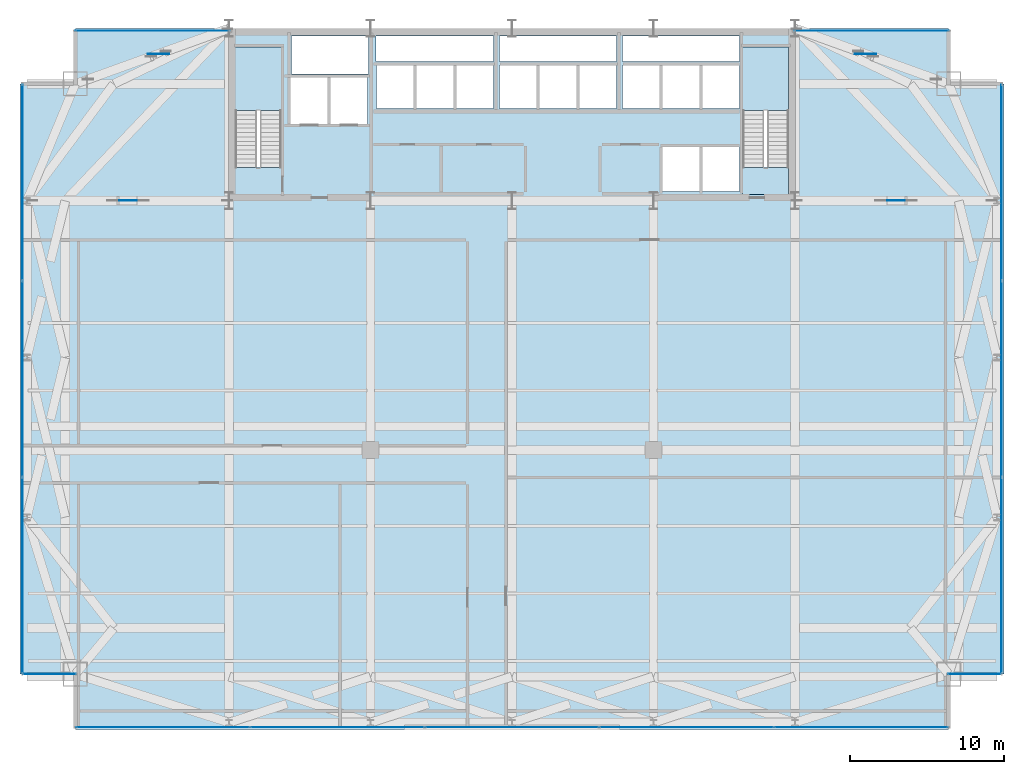
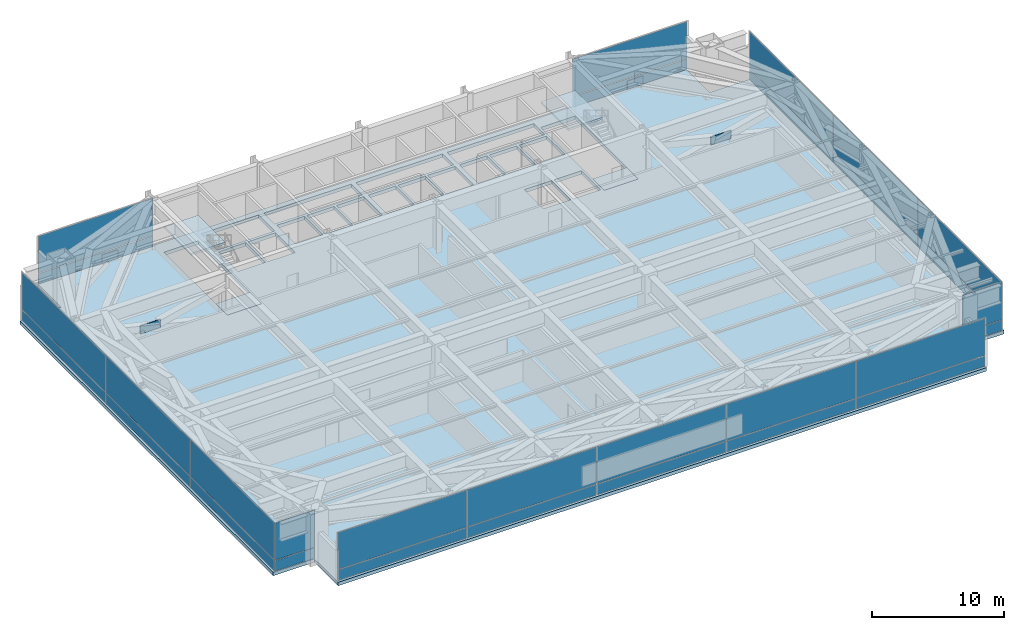
# One storey, part 25 of 30: 34 plates, 5 slabs, 9 elements without a shape of their own.
"""IFC4 building model written with IfcOpenShell, lengths in metres."""

from ifc_helpers import new_model, si_unit, direction, frame, origin, origin_2d, place, context, subcontext, project, spatial, polyline, rectangle, outline, extrude, source, transform, mapped, material, layer, layer_set, type_object, type_shapes, element, aggregate, save


model = new_model("IFC4")

# Units and contexts
model_context = context("Model", 3, precision=1e-05, world=origin(), true_north=direction((0.0, 1.0)))
body_context = subcontext(model_context, "Body", "Model", "MODEL_VIEW")
ifc_project = project(units=[si_unit("LENGTHUNIT", "METRE"), si_unit("AREAUNIT", "SQUARE_METRE"), si_unit("VOLUMEUNIT", "CUBIC_METRE"), si_unit("PLANEANGLEUNIT", "RADIAN"), si_unit("MASSUNIT", "GRAM", prefix="KILO")], contexts=[model_context])

# Site, building, storey
site_placement = place(None, origin())
site = spatial("IfcSite", under=ifc_project, at=site_placement, CompositionType="ELEMENT")
building_placement = place(site_placement, origin())
building = spatial("IfcBuilding", under=site, at=building_placement, Name="Varnel Quay Broadcast Tower", CompositionType="ELEMENT")
storey_placement = place(building_placement, frame((0.0, 0.0, 82.199951171875)))
storey = spatial("IfcBuildingStorey", under=building, at=storey_placement, Name="L19", CompositionType="ELEMENT", Elevation=82.199951171875)

# Slabs
ifc_material_1 = material(Name="Concrete CSA A23.3 C50/60", Category="concrete")
ifc_layer_1 = layer(ifc_material_1, 0.320068359375, Name="Concrete CSA A23.3 C50/60")
ifc_layer_set_1 = layer_set([ifc_layer_1], Name="Concrete CSA A23.3 C50/60")
slab_type_1 = type_object("IfcSlabType", Name="Slab_Floor320", PredefinedType="FLOOR", material=ifc_layer_set_1)
slab_1_placement = place(storey_placement, frame((0.0, 0.0, -0.320068359375)))
element("IfcSlab", 1, at=slab_1_placement, inside=storey, type_object=slab_type_1, Name="L19 Structural Slab", PredefinedType="FLOOR", context=body_context, shape_type="SweptSolid", body=[
    extrude(outline(polyline([(5.60009765625, 1.199951171875), (62.39990234375, 1.199951171875), (62.39990234375, 4.800048828125), (66.0, 4.800048828125), (66.0, 43.199951171875), (62.39990234375, 43.199951171875), (62.39990234375, 46.800048828125), (5.60009765625, 46.800048828125), (5.60009765625, 43.199951171875), (2.0, 43.199951171875), (2.0, 4.800048828125), (5.60009765625, 4.800048828125), (5.60009765625, 1.199951171875)]), holes=[polyline([(16.0, 36.0), (16.0, 45.60009765625), (19.0, 45.60009765625), (19.0, 36.0), (16.0, 36.0)]), polyline([(19.60009765625, 43.60009765625), (22.0, 43.60009765625), (22.0, 40.60009765625), (19.60009765625, 40.60009765625), (19.60009765625, 43.60009765625)]), polyline([(22.199951171875, 43.60009765625), (24.60009765625, 43.60009765625), (24.60009765625, 40.60009765625), (22.199951171875, 40.60009765625), (22.199951171875, 43.60009765625)]), polyline([(25.199951171875, 44.39990234375), (27.60009765625, 44.39990234375), (27.60009765625, 41.60009765625), (25.199951171875, 41.60009765625), (25.199951171875, 44.39990234375)]), polyline([(27.800048828125, 44.39990234375), (30.199951171875, 44.39990234375), (30.199951171875, 41.60009765625), (27.800048828125, 41.60009765625), (27.800048828125, 44.39990234375)]), polyline([(30.39990234375, 44.39990234375), (32.800048828125, 44.39990234375), (32.800048828125, 41.60009765625), (30.39990234375, 41.60009765625), (30.39990234375, 44.39990234375)]), polyline([(33.199951171875, 44.39990234375), (35.60009765625, 44.39990234375), (35.60009765625, 41.60009765625), (33.199951171875, 41.60009765625), (33.199951171875, 44.39990234375)]), polyline([(38.199951171875, 44.39990234375), (38.199951171875, 41.60009765625), (35.800048828125, 41.60009765625), (35.800048828125, 44.39990234375), (38.199951171875, 44.39990234375)]), polyline([(24.679931640625, 46.300048828125), (24.679931640625, 43.85009765625), (19.64990234375, 43.85009765625), (19.64990234375, 46.300048828125), (24.679931640625, 46.300048828125)]), polyline([(25.14990234375, 46.300048828125), (32.800048828125, 46.300048828125), (32.800048828125, 44.64990234375), (25.14990234375, 44.64990234375), (25.14990234375, 46.300048828125)]), polyline([(43.800048828125, 39.10009765625), (46.199951171875, 39.10009765625), (46.199951171875, 36.199951171875), (43.800048828125, 36.199951171875), (43.800048828125, 39.10009765625)]), polyline([(46.39990234375, 39.10009765625), (48.800048828125, 39.10009765625), (48.800048828125, 36.199951171875), (46.39990234375, 36.199951171875), (46.39990234375, 39.10009765625)]), polyline([(49.0, 45.60009765625), (52.0, 45.60009765625), (52.0, 36.0), (49.0, 36.0), (49.0, 45.60009765625)]), polyline([(40.800048828125, 44.39990234375), (40.800048828125, 41.60009765625), (38.39990234375, 41.60009765625), (38.39990234375, 44.39990234375), (40.800048828125, 44.39990234375)]), polyline([(41.199951171875, 44.39990234375), (43.60009765625, 44.39990234375), (43.60009765625, 41.60009765625), (41.199951171875, 41.60009765625), (41.199951171875, 44.39990234375)]), polyline([(43.800048828125, 44.39990234375), (46.199951171875, 44.39990234375), (46.199951171875, 41.60009765625), (43.800048828125, 41.60009765625), (43.800048828125, 44.39990234375)]), polyline([(46.39990234375, 44.39990234375), (48.800048828125, 44.39990234375), (48.800048828125, 41.60009765625), (46.39990234375, 41.60009765625), (46.39990234375, 44.39990234375)]), polyline([(40.800048828125, 46.300048828125), (40.800048828125, 44.64990234375), (33.199951171875, 44.64990234375), (33.199951171875, 46.300048828125), (40.800048828125, 46.300048828125)]), polyline([(48.800048828125, 46.300048828125), (48.800048828125, 44.64990234375), (41.199951171875, 44.64990234375), (41.199951171875, 46.300048828125), (48.800048828125, 46.300048828125)])]), origin(), (0.0, 0.0, 1.0), 0.320068359375),
])
ifc_layer_2 = layer(ifc_material_1, 0.25, Name="Concrete CSA A23.3 C50/60")
ifc_layer_set_2 = layer_set([ifc_layer_2], Name="Concrete CSA A23.3 C50/60")
slab_type_2 = type_object("IfcSlabType", Name="Slab_StairFloorLanding250", PredefinedType="FLOOR", material=ifc_layer_set_2)
slab_2_placement = place(storey_placement, frame((0.0, 0.0, -0.320068359375)))
element("IfcSlab", 2, at=slab_2_placement, inside=storey, type_object=slab_type_2, Name="L19 ST-01 Structural Floor Landing Slab", PredefinedType="FLOOR", context=body_context, shape_type="SweptSolid", body=[
    extrude(outline(polyline([(19.0, 36.0), (19.0, 37.75), (16.0, 37.75), (16.0, 36.0), (19.0, 36.0)])), origin(), (0.0, 0.0, 1.0), 0.320068359375),
])
slab_3_placement = place(storey_placement, frame((0.0, 0.0, -0.320068359375)))
element("IfcSlab", 3, at=slab_3_placement, inside=storey, type_object=slab_type_2, Name="L19 ST-02 Structural Floor Landing Slab", PredefinedType="FLOOR", context=body_context, shape_type="SweptSolid", body=[
    extrude(outline(polyline([(52.0, 36.0), (52.0, 37.75), (49.0, 37.75), (49.0, 36.0), (52.0, 36.0)])), origin(), (0.0, 0.0, 1.0), 0.320068359375),
])

# Stair, slab
ifc_material_2 = material(Name="Precast Structural Concrete C40/50", Category="concrete")
stair_type_1 = type_object("IfcStairType", Name="Stair_ST-01", PredefinedType="HALF_TURN_STAIR", material=ifc_material_2)
stair_1_placement = place(storey_placement, origin())
stair_1 = element("IfcStair", 4, at=stair_1_placement, inside=storey, type_object=stair_type_1, Name="L19 West Core Exit Stair 1", PredefinedType="HALF_TURN_STAIR")
ifc_layer_3 = layer(ifc_material_2, 0.199951171875, Name="Precast Structural Concrete C40/50")
ifc_layer_set_3 = layer_set([ifc_layer_3], Name="Precast Structural Concrete C40/50")
slab_type_3 = type_object("IfcSlabType", Name="Slab_StairLanding200", PredefinedType="LANDING", material=ifc_layer_set_3)
slab_4_placement = place(storey_placement, frame((0.0, 0.0, 2.199951171875)))
slab_4 = element("IfcSlab", 5, at=slab_4_placement, type_object=slab_type_3, Name="ST-01 landing 1", PredefinedType="LANDING", context=body_context, shape_type="SweptSolid", body=[
    extrude(outline(polyline([(19.0, 41.455078125), (19.0, 45.60009765625), (16.0, 45.60009765625), (16.0, 41.455078125), (19.0, 41.455078125)])), origin(), (0.0, 0.0, 1.0), 0.2001953125),
])
aggregate(stair_1, [slab_4])

stair_type_2 = type_object("IfcStairType", Name="Stair_ST-02", PredefinedType="HALF_TURN_STAIR", material=ifc_material_2)
stair_2_placement = place(storey_placement, origin())
stair_2 = element("IfcStair", 6, at=stair_2_placement, inside=storey, type_object=stair_type_2, Name="L19 East Core Exit Stair 2", PredefinedType="HALF_TURN_STAIR")
slab_5_placement = place(storey_placement, frame((0.0, 0.0, 2.199951171875)))
slab_5 = element("IfcSlab", 7, at=slab_5_placement, type_object=slab_type_3, Name="ST-02 landing 1", PredefinedType="LANDING", context=body_context, shape_type="SweptSolid", body=[
    extrude(outline(polyline([(52.0, 41.455078125), (52.0, 45.60009765625), (49.0, 45.60009765625), (49.0, 41.455078125), (52.0, 41.455078125)])), origin(), (0.0, 0.0, 1.0), 0.2001953125),
])
aggregate(stair_2, [slab_5])

# Plates
ifc_material_3 = material(Name="Structural Steel CSA G40.21 350WT", Category="steel")
ifc_layer_4 = layer(ifc_material_3, 0.0400390625, Name="Structural Steel CSA G40.21 350WT")
ifc_layer_set_4 = layer_set([ifc_layer_4], Name="Structural Steel CSA G40.21 350WT")
plate_type_1 = type_object("IfcPlateType", Name="Plate_MegaGusset", PredefinedType="USERDEFINED", material=ifc_layer_set_4)
shared_shape_1 = source(origin(), body_context, "Body", "SweptSolid", [
    extrude(rectangle(XDim=1.385986328125, YDim=0.0400390625, at=origin_2d()), origin(), (0.0, 0.0, 1.0), 0.77197265625),
])
for number, where, z_axis, x_axis, name in (
    (8, (11.007080078125, 45.146484375, 1.244140625), (0.0, 0.0, 1.0), (1.0, 0.0, 0.0), "L19 Outrigger NW Central X-Crossing Gusset Plate"),
    (9, (56.992919921875, 45.146484375, 1.244140625), (0.0, 0.0, 1.0), (1.0, 0.0, 0.0), "L19 Outrigger NE Central X-Crossing Gusset Plate"),
):
    element("IfcPlate", number, at=place(storey_placement, frame(where, z_axis=z_axis, x_axis=x_axis)), inside=storey, type_object=plate_type_1, Name=name, ObjectType="GUSSET_PLATE", PredefinedType="USERDEFINED", context=body_context, shape_type="MappedRepresentation", body=[
        mapped(shared_shape_1, transform((0.0, 0.0, 0.0), x_axis=(1.0, 0.0, 0.0), y_axis=(0.0, 1.0, 0.0), z_axis=(0.0, 0.0, 1.0), scale=1.0)),
    ])
shared_shape_2 = source(origin(), body_context, "Body", "SweptSolid", [
    extrude(rectangle(XDim=1.75, YDim=0.0400390625, at=origin_2d()), origin(), (0.0, 0.0, 1.0), 0.760986328125),
])
type_shapes(plate_type_1, [shared_shape_1, shared_shape_2])
for number, where, z_axis, x_axis, name in (
    (10, (9.02490234375, 35.60009765625, 1.24951171875), (0.0, 0.0, 1.0), (1.0, 0.0, 0.0), "L19 Outrigger W Central X-Crossing Gusset Plate"),
    (11, (58.97509765625, 35.60009765625, 1.24951171875), (0.0, 0.0, 1.0), (1.0, 0.0, 0.0), "L19 Outrigger E Central X-Crossing Gusset Plate"),
):
    element("IfcPlate", number, at=place(storey_placement, frame(where, z_axis=z_axis, x_axis=x_axis)), inside=storey, type_object=plate_type_1, Name=name, ObjectType="GUSSET_PLATE", PredefinedType="USERDEFINED", context=body_context, shape_type="MappedRepresentation", body=[
        mapped(shared_shape_2, transform((0.0, 0.0, 0.0), x_axis=(1.0, 0.0, 0.0), y_axis=(0.0, 1.0, 0.0), z_axis=(0.0, 0.0, 1.0), scale=1.0)),
    ])

# Curtain wall, plates
ifc_material_4 = material(Name="Anodised Bronze Aluminium 6063-T6", Category="aluminium")
ifc_layer_5 = layer(ifc_material_4, 0.18994140625, Name="Anodised Bronze Aluminium 6063-T6")
ifc_layer_set_5 = layer_set([ifc_layer_5], Name="Anodised Bronze Aluminium 6063-T6")
curtain_wall_type_1 = type_object("IfcCurtainWallType", Name="CW_LowerTower", PredefinedType="NOTDEFINED", material=ifc_layer_set_5)
curtain_wall_1_placement = place(storey_placement, origin())
curtain_wall_1 = element("IfcCurtainWall", 12, at=curtain_wall_1_placement, inside=storey, type_object=curtain_wall_type_1, Name="L19 South Unitised Curtain Wall 1", PredefinedType="NOTDEFINED")
ifc_material_5 = material(Name="Triple-Glazed Bronze Low-E Architectural Glass", Category="glass")
ifc_layer_6 = layer(ifc_material_5, 0.031982421875, Name="Triple-Glazed Bronze Low-E Architectural Glass")
ifc_layer_set_6 = layer_set([ifc_layer_6], Name="Triple-Glazed Bronze Low-E Architectural Glass")
plate_type_2 = type_object("IfcPlateType", Name="Panel_CWS-02", PredefinedType="CURTAIN_PANEL", material=ifc_layer_set_6)
shared_shape_3 = source(origin(), body_context, "Body", "SweptSolid", [
    extrude(rectangle(XDim=11.2548828125, YDim=0.031982421875, at=origin_2d()), origin(), (0.0, 0.0, 1.0), 0.9599609375),
])
plate_1_placement = place(storey_placement, frame((11.297607421875, 1.35009765625, 0.06005859375), z_axis=(0.0, 0.0, 1.0), x_axis=(1.0, 0.0, 0.0)))
plate_1 = element("IfcPlate", 13, at=plate_1_placement, type_object=plate_type_2, Name="CWS-02 panel 1.1", PredefinedType="CURTAIN_PANEL", context=body_context, shape_type="MappedRepresentation", body=[
    mapped(shared_shape_3, transform((0.0, 0.0, 0.0), x_axis=(1.0, 0.0, 0.0), y_axis=(0.0, 1.0, 0.0), z_axis=(0.0, 0.0, 1.0), scale=1.0)),
])
plate_2_placement = place(storey_placement, frame((56.702392578125, 1.35009765625, 0.06005859375), z_axis=(0.0, 0.0, 1.0), x_axis=(1.0, 0.0, 0.0)))
plate_2 = element("IfcPlate", 14, at=plate_2_placement, type_object=plate_type_2, Name="CWS-02 panel 5.1", PredefinedType="CURTAIN_PANEL", context=body_context, shape_type="MappedRepresentation", body=[
    mapped(shared_shape_3, transform((0.0, 0.0, 0.0), x_axis=(1.0, 0.0, 0.0), y_axis=(0.0, 1.0, 0.0), z_axis=(0.0, 0.0, 1.0), scale=1.0)),
])
shared_shape_4 = source(origin(), body_context, "Body", "SweptSolid", [
    extrude(rectangle(XDim=11.2548828125, YDim=0.031982421875, at=origin_2d()), origin(), (0.0, 0.0, 1.0), 3.409912109375),
])
plate_3_placement = place(storey_placement, frame((11.297607421875, 1.35009765625, 1.080078125), z_axis=(0.0, 0.0, 1.0), x_axis=(1.0, 0.0, 0.0)))
plate_3 = element("IfcPlate", 15, at=plate_3_placement, type_object=plate_type_2, Name="CWS-02 panel 1.2", PredefinedType="CURTAIN_PANEL", context=body_context, shape_type="MappedRepresentation", body=[
    mapped(shared_shape_4, transform((0.0, 0.0, 0.0), x_axis=(1.0, 0.0, 0.0), y_axis=(0.0, 1.0, 0.0), z_axis=(0.0, 0.0, 1.0), scale=1.0)),
])
plate_4_placement = place(storey_placement, frame((56.702392578125, 1.35009765625, 1.080078125), z_axis=(0.0, 0.0, 1.0), x_axis=(1.0, 0.0, 0.0)))
plate_4 = element("IfcPlate", 16, at=plate_4_placement, type_object=plate_type_2, Name="CWS-02 panel 5.2", PredefinedType="CURTAIN_PANEL", context=body_context, shape_type="MappedRepresentation", body=[
    mapped(shared_shape_4, transform((0.0, 0.0, 0.0), x_axis=(1.0, 0.0, 0.0), y_axis=(0.0, 1.0, 0.0), z_axis=(0.0, 0.0, 1.0), scale=1.0)),
])
shared_shape_5 = source(origin(), body_context, "Body", "SweptSolid", [
    extrude(rectangle(XDim=11.2900390625, YDim=0.031982421875, at=origin_2d()), origin(), (0.0, 0.0, 1.0), 0.9599609375),
])
plate_5_placement = place(storey_placement, frame((22.639892578125, 1.35009765625, 0.06005859375), z_axis=(0.0, 0.0, 1.0), x_axis=(1.0, 0.0, 0.0)))
plate_5 = element("IfcPlate", 17, at=plate_5_placement, type_object=plate_type_2, Name="CWS-02 panel 2.1", PredefinedType="CURTAIN_PANEL", context=body_context, shape_type="MappedRepresentation", body=[
    mapped(shared_shape_5, transform((0.0, 0.0, 0.0), x_axis=(1.0, 0.0, 0.0), y_axis=(0.0, 1.0, 0.0), z_axis=(0.0, 0.0, 1.0), scale=1.0)),
])
plate_6_placement = place(storey_placement, frame((34.0, 1.35009765625, 0.06005859375), z_axis=(0.0, 0.0, 1.0), x_axis=(1.0, 0.0, 0.0)))
plate_6 = element("IfcPlate", 18, at=plate_6_placement, type_object=plate_type_2, Name="CWS-02 panel 3.1", PredefinedType="CURTAIN_PANEL", context=body_context, shape_type="MappedRepresentation", body=[
    mapped(shared_shape_5, transform((0.0, 0.0, 0.0), x_axis=(1.0, 0.0, 0.0), y_axis=(0.0, 1.0, 0.0), z_axis=(0.0, 0.0, 1.0), scale=1.0)),
])
plate_7_placement = place(storey_placement, frame((45.360107421875, 1.35009765625, 0.06005859375), z_axis=(0.0, 0.0, 1.0), x_axis=(1.0, 0.0, 0.0)))
plate_7 = element("IfcPlate", 19, at=plate_7_placement, type_object=plate_type_2, Name="CWS-02 panel 4.1", PredefinedType="CURTAIN_PANEL", context=body_context, shape_type="MappedRepresentation", body=[
    mapped(shared_shape_5, transform((0.0, 0.0, 0.0), x_axis=(1.0, 0.0, 0.0), y_axis=(0.0, 1.0, 0.0), z_axis=(0.0, 0.0, 1.0), scale=1.0)),
])
shared_shape_6 = source(origin(), body_context, "Body", "SweptSolid", [
    extrude(rectangle(XDim=11.2900390625, YDim=0.031982421875, at=origin_2d()), origin(), (0.0, 0.0, 1.0), 3.409912109375),
])
plate_8_placement = place(storey_placement, frame((22.639892578125, 1.35009765625, 1.080078125), z_axis=(0.0, 0.0, 1.0), x_axis=(1.0, 0.0, 0.0)))
plate_8 = element("IfcPlate", 20, at=plate_8_placement, type_object=plate_type_2, Name="CWS-02 panel 2.2", PredefinedType="CURTAIN_PANEL", context=body_context, shape_type="MappedRepresentation", body=[
    mapped(shared_shape_6, transform((0.0, 0.0, 0.0), x_axis=(1.0, 0.0, 0.0), y_axis=(0.0, 1.0, 0.0), z_axis=(0.0, 0.0, 1.0), scale=1.0)),
])
plate_9_placement = place(storey_placement, frame((34.0, 1.35009765625, 1.080078125), z_axis=(0.0, 0.0, 1.0), x_axis=(1.0, 0.0, 0.0)))
plate_9 = element("IfcPlate", 21, at=plate_9_placement, type_object=plate_type_2, Name="CWS-02 panel 3.2", PredefinedType="CURTAIN_PANEL", context=body_context, shape_type="MappedRepresentation", body=[
    mapped(shared_shape_6, transform((0.0, 0.0, 0.0), x_axis=(1.0, 0.0, 0.0), y_axis=(0.0, 1.0, 0.0), z_axis=(0.0, 0.0, 1.0), scale=1.0)),
])
plate_10_placement = place(storey_placement, frame((45.360107421875, 1.35009765625, 1.080078125), z_axis=(0.0, 0.0, 1.0), x_axis=(1.0, 0.0, 0.0)))
plate_10 = element("IfcPlate", 22, at=plate_10_placement, type_object=plate_type_2, Name="CWS-02 panel 4.2", PredefinedType="CURTAIN_PANEL", context=body_context, shape_type="MappedRepresentation", body=[
    mapped(shared_shape_6, transform((0.0, 0.0, 0.0), x_axis=(1.0, 0.0, 0.0), y_axis=(0.0, 1.0, 0.0), z_axis=(0.0, 0.0, 1.0), scale=1.0)),
])
aggregate(curtain_wall_1, [plate_1, plate_3, plate_5, plate_8, plate_6, plate_9, plate_7, plate_10, plate_2, plate_4])

# Curtain wall, plate
curtain_wall_2_placement = place(storey_placement, origin())
curtain_wall_2 = element("IfcCurtainWall", 23, at=curtain_wall_2_placement, inside=storey, type_object=curtain_wall_type_1, Name="L19 West Unitised Curtain Wall", PredefinedType="NOTDEFINED")
shared_shape_7 = source(origin(), body_context, "Body", "SweptSolid", [
    extrude(rectangle(XDim=12.695068359375, YDim=0.031982421875, at=origin_2d()), origin(), (0.0, 0.0, 1.0), 0.9599609375),
])
plate_11_placement = place(storey_placement, frame((2.14990234375, 11.217529296875, 0.06005859375), z_axis=(0.0, 0.0, 1.0), x_axis=(0.0, 1.0, 0.0)))
plate_11 = element("IfcPlate", 24, at=plate_11_placement, type_object=plate_type_2, Name="CWS-02 panel 1.1", PredefinedType="CURTAIN_PANEL", context=body_context, shape_type="MappedRepresentation", body=[
    mapped(shared_shape_7, transform((0.0, 0.0, 0.0), x_axis=(1.0, 0.0, 0.0), y_axis=(0.0, 1.0, 0.0), z_axis=(0.0, 0.0, 1.0), scale=1.0)),
])

curtain_wall_3_placement = place(storey_placement, origin())
curtain_wall_3 = element("IfcCurtainWall", 25, at=curtain_wall_3_placement, inside=storey, type_object=curtain_wall_type_1, Name="L19 East Unitised Curtain Wall", PredefinedType="NOTDEFINED")
plate_12_placement = place(storey_placement, frame((65.85009765625, 11.217529296875, 0.06005859375), z_axis=(0.0, 0.0, 1.0), x_axis=(0.0, 1.0, 0.0)))
plate_12 = element("IfcPlate", 26, at=plate_12_placement, type_object=plate_type_2, Name="CWS-02 panel 1.1", PredefinedType="CURTAIN_PANEL", context=body_context, shape_type="MappedRepresentation", body=[
    mapped(shared_shape_7, transform((0.0, 0.0, 0.0), x_axis=(1.0, 0.0, 0.0), y_axis=(0.0, 1.0, 0.0), z_axis=(0.0, 0.0, 1.0), scale=1.0)),
])

# Plate
shared_shape_8 = source(origin(), body_context, "Body", "SweptSolid", [
    extrude(rectangle(XDim=12.695068359375, YDim=0.031982421875, at=origin_2d()), origin(), (0.0, 0.0, 1.0), 3.409912109375),
])
plate_13_placement = place(storey_placement, frame((2.14990234375, 11.217529296875, 1.080078125), z_axis=(0.0, 0.0, 1.0), x_axis=(0.0, 1.0, 0.0)))
plate_13 = element("IfcPlate", 27, at=plate_13_placement, type_object=plate_type_2, Name="CWS-02 panel 1.2", PredefinedType="CURTAIN_PANEL", context=body_context, shape_type="MappedRepresentation", body=[
    mapped(shared_shape_8, transform((0.0, 0.0, 0.0), x_axis=(1.0, 0.0, 0.0), y_axis=(0.0, 1.0, 0.0), z_axis=(0.0, 0.0, 1.0), scale=1.0)),
])

plate_14_placement = place(storey_placement, frame((65.85009765625, 11.217529296875, 1.080078125), z_axis=(0.0, 0.0, 1.0), x_axis=(0.0, 1.0, 0.0)))
plate_14 = element("IfcPlate", 28, at=plate_14_placement, type_object=plate_type_2, Name="CWS-02 panel 1.2", PredefinedType="CURTAIN_PANEL", context=body_context, shape_type="MappedRepresentation", body=[
    mapped(shared_shape_8, transform((0.0, 0.0, 0.0), x_axis=(1.0, 0.0, 0.0), y_axis=(0.0, 1.0, 0.0), z_axis=(0.0, 0.0, 1.0), scale=1.0)),
])

shared_shape_9 = source(origin(), body_context, "Body", "SweptSolid", [
    extrude(rectangle(XDim=12.72998046875, YDim=0.031982421875, at=origin_2d()), origin(), (0.0, 0.0, 1.0), 0.9599609375),
])
plate_15_placement = place(storey_placement, frame((2.14990234375, 24.0, 0.06005859375), z_axis=(0.0, 0.0, 1.0), x_axis=(0.0, 1.0, 0.0)))
plate_15 = element("IfcPlate", 29, at=plate_15_placement, type_object=plate_type_2, Name="CWS-02 panel 2.1", PredefinedType="CURTAIN_PANEL", context=body_context, shape_type="MappedRepresentation", body=[
    mapped(shared_shape_9, transform((0.0, 0.0, 0.0), x_axis=(1.0, 0.0, 0.0), y_axis=(0.0, 1.0, 0.0), z_axis=(0.0, 0.0, 1.0), scale=1.0)),
])

plate_16_placement = place(storey_placement, frame((65.85009765625, 24.0, 0.06005859375), z_axis=(0.0, 0.0, 1.0), x_axis=(0.0, 1.0, 0.0)))
plate_16 = element("IfcPlate", 30, at=plate_16_placement, type_object=plate_type_2, Name="CWS-02 panel 2.1", PredefinedType="CURTAIN_PANEL", context=body_context, shape_type="MappedRepresentation", body=[
    mapped(shared_shape_9, transform((0.0, 0.0, 0.0), x_axis=(1.0, 0.0, 0.0), y_axis=(0.0, 1.0, 0.0), z_axis=(0.0, 0.0, 1.0), scale=1.0)),
])

shared_shape_10 = source(origin(), body_context, "Body", "SweptSolid", [
    extrude(rectangle(XDim=12.72998046875, YDim=0.031982421875, at=origin_2d()), origin(), (0.0, 0.0, 1.0), 3.409912109375),
])
type_shapes(plate_type_2, [shared_shape_3, shared_shape_4, shared_shape_5, shared_shape_6, shared_shape_7, shared_shape_8, shared_shape_9, shared_shape_10])
plate_17_placement = place(storey_placement, frame((2.14990234375, 24.0, 1.080078125), z_axis=(0.0, 0.0, 1.0), x_axis=(0.0, 1.0, 0.0)))
plate_17 = element("IfcPlate", 31, at=plate_17_placement, type_object=plate_type_2, Name="CWS-02 panel 2.2", PredefinedType="CURTAIN_PANEL", context=body_context, shape_type="MappedRepresentation", body=[
    mapped(shared_shape_10, transform((0.0, 0.0, 0.0), x_axis=(1.0, 0.0, 0.0), y_axis=(0.0, 1.0, 0.0), z_axis=(0.0, 0.0, 1.0), scale=1.0)),
])

plate_18_placement = place(storey_placement, frame((65.85009765625, 24.0, 1.080078125), z_axis=(0.0, 0.0, 1.0), x_axis=(0.0, 1.0, 0.0)))
plate_18 = element("IfcPlate", 32, at=plate_18_placement, type_object=plate_type_2, Name="CWS-02 panel 2.2", PredefinedType="CURTAIN_PANEL", context=body_context, shape_type="MappedRepresentation", body=[
    mapped(shared_shape_10, transform((0.0, 0.0, 0.0), x_axis=(1.0, 0.0, 0.0), y_axis=(0.0, 1.0, 0.0), z_axis=(0.0, 0.0, 1.0), scale=1.0)),
])

ifc_material_6 = material(Name="Insulated Bronze Spandrel Glass", Category="glass")
ifc_layer_7 = layer(ifc_material_6, 0.031982421875, Name="Insulated Bronze Spandrel Glass")
ifc_layer_set_7 = layer_set([ifc_layer_7], Name="Insulated Bronze Spandrel Glass")
plate_type_3 = type_object("IfcPlateType", Name="PanelSp_CWS-02", PredefinedType="CURTAIN_PANEL", material=ifc_layer_set_7)
shared_shape_11 = source(origin(), body_context, "Body", "SweptSolid", [
    extrude(rectangle(XDim=12.695068359375, YDim=0.031982421875, at=origin_2d()), origin(), (0.0, 0.0, 1.0), 0.9599609375),
])
plate_19_placement = place(storey_placement, frame((2.14990234375, 36.782470703125, 0.06005859375), z_axis=(0.0, 0.0, 1.0), x_axis=(0.0, 1.0, 0.0)))
plate_19 = element("IfcPlate", 33, at=plate_19_placement, type_object=plate_type_3, Name="CWS-02 panel 3.1", PredefinedType="CURTAIN_PANEL", context=body_context, shape_type="MappedRepresentation", body=[
    mapped(shared_shape_11, transform((0.0, 0.0, 0.0), x_axis=(1.0, 0.0, 0.0), y_axis=(0.0, 1.0, 0.0), z_axis=(0.0, 0.0, 1.0), scale=1.0)),
])

plate_20_placement = place(storey_placement, frame((65.85009765625, 36.782470703125, 0.06005859375), z_axis=(0.0, 0.0, 1.0), x_axis=(0.0, 1.0, 0.0)))
plate_20 = element("IfcPlate", 34, at=plate_20_placement, type_object=plate_type_3, Name="CWS-02 panel 3.1", PredefinedType="CURTAIN_PANEL", context=body_context, shape_type="MappedRepresentation", body=[
    mapped(shared_shape_11, transform((0.0, 0.0, 0.0), x_axis=(1.0, 0.0, 0.0), y_axis=(0.0, 1.0, 0.0), z_axis=(0.0, 0.0, 1.0), scale=1.0)),
])

shared_shape_12 = source(origin(), body_context, "Body", "SweptSolid", [
    extrude(rectangle(XDim=12.695068359375, YDim=0.031982421875, at=origin_2d()), origin(), (0.0, 0.0, 1.0), 3.409912109375),
])
type_shapes(plate_type_3, [shared_shape_11, shared_shape_12])
plate_21_placement = place(storey_placement, frame((2.14990234375, 36.782470703125, 1.080078125), z_axis=(0.0, 0.0, 1.0), x_axis=(0.0, 1.0, 0.0)))
plate_21 = element("IfcPlate", 35, at=plate_21_placement, type_object=plate_type_3, Name="CWS-02 panel 3.2", PredefinedType="CURTAIN_PANEL", context=body_context, shape_type="MappedRepresentation", body=[
    mapped(shared_shape_12, transform((0.0, 0.0, 0.0), x_axis=(1.0, 0.0, 0.0), y_axis=(0.0, 1.0, 0.0), z_axis=(0.0, 0.0, 1.0), scale=1.0)),
])

aggregate(curtain_wall_2, [plate_11, plate_13, plate_15, plate_17, plate_19, plate_21])

plate_22_placement = place(storey_placement, frame((65.85009765625, 36.782470703125, 1.080078125), z_axis=(0.0, 0.0, 1.0), x_axis=(0.0, 1.0, 0.0)))
plate_22 = element("IfcPlate", 36, at=plate_22_placement, type_object=plate_type_3, Name="CWS-02 panel 3.2", PredefinedType="CURTAIN_PANEL", context=body_context, shape_type="MappedRepresentation", body=[
    mapped(shared_shape_12, transform((0.0, 0.0, 0.0), x_axis=(1.0, 0.0, 0.0), y_axis=(0.0, 1.0, 0.0), z_axis=(0.0, 0.0, 1.0), scale=1.0)),
])

aggregate(curtain_wall_3, [plate_12, plate_14, plate_16, plate_18, plate_20, plate_22])

# Curtain wall, plate
ifc_layer_8 = layer(ifc_material_4, 0.18994140625, Name="Anodised Bronze Aluminium 6063-T6")
ifc_layer_set_8 = layer_set([ifc_layer_8], Name="Anodised Bronze Aluminium 6063-T6")
curtain_wall_type_2 = type_object("IfcCurtainWallType", Name="CW_NotchCorner", PredefinedType="NOTDEFINED", material=ifc_layer_set_8)
curtain_wall_4_placement = place(storey_placement, origin())
curtain_wall_4 = element("IfcCurtainWall", 37, at=curtain_wall_4_placement, inside=storey, type_object=curtain_wall_type_2, Name="L19 SW Notch Curtain Wall", PredefinedType="NOTDEFINED")
ifc_layer_9 = layer(ifc_material_5, 0.028076171875, Name="Triple-Glazed Bronze Low-E Architectural Glass")
ifc_layer_set_9 = layer_set([ifc_layer_9], Name="Triple-Glazed Bronze Low-E Architectural Glass")
plate_type_4 = type_object("IfcPlateType", Name="Panel_CWS-04", PredefinedType="CURTAIN_PANEL", material=ifc_layer_set_9)
shared_shape_13 = source(origin(), body_context, "Body", "SweptSolid", [
    extrude(rectangle(XDim=3.409912109375, YDim=0.028076171875, at=origin_2d()), origin(), (0.0, 0.0, 1.0), 0.967529296875),
])
plate_23_placement = place(storey_placement, frame((3.9150390625, 4.800048828125, 0.05517578125), z_axis=(0.0, 0.0, 1.0), x_axis=(1.0, 0.0, 0.0)))
plate_23 = element("IfcPlate", 38, at=plate_23_placement, type_object=plate_type_4, Name="CWS-04 panel 1.1", PredefinedType="CURTAIN_PANEL", context=body_context, shape_type="MappedRepresentation", body=[
    mapped(shared_shape_13, transform((0.0, 0.0, 0.0), x_axis=(1.0, 0.0, 0.0), y_axis=(0.0, 1.0, 0.0), z_axis=(0.0, 0.0, 1.0), scale=1.0)),
])

curtain_wall_5_placement = place(storey_placement, origin())
curtain_wall_5 = element("IfcCurtainWall", 39, at=curtain_wall_5_placement, inside=storey, type_object=curtain_wall_type_2, Name="L19 SE Notch Curtain Wall", PredefinedType="NOTDEFINED")
plate_24_placement = place(storey_placement, frame((64.0849609375, 4.800048828125, 0.05517578125), z_axis=(0.0, 0.0, 1.0), x_axis=(1.0, 0.0, 0.0)))
plate_24 = element("IfcPlate", 40, at=plate_24_placement, type_object=plate_type_4, Name="CWS-04 panel 1.1", PredefinedType="CURTAIN_PANEL", context=body_context, shape_type="MappedRepresentation", body=[
    mapped(shared_shape_13, transform((0.0, 0.0, 0.0), x_axis=(1.0, 0.0, 0.0), y_axis=(0.0, 1.0, 0.0), z_axis=(0.0, 0.0, 1.0), scale=1.0)),
])

# Plate
shared_shape_14 = source(origin(), body_context, "Body", "SweptSolid", [
    extrude(rectangle(XDim=3.409912109375, YDim=0.028076171875, at=origin_2d()), origin(), (0.0, 0.0, 1.0), 3.41748046875),
])
type_shapes(plate_type_4, [shared_shape_13, shared_shape_14])
plate_25_placement = place(storey_placement, frame((3.9150390625, 4.800048828125, 1.07763671875), z_axis=(0.0, 0.0, 1.0), x_axis=(1.0, 0.0, 0.0)))
plate_25 = element("IfcPlate", 41, at=plate_25_placement, type_object=plate_type_4, Name="CWS-04 panel 1.2", PredefinedType="CURTAIN_PANEL", context=body_context, shape_type="MappedRepresentation", body=[
    mapped(shared_shape_14, transform((0.0, 0.0, 0.0), x_axis=(1.0, 0.0, 0.0), y_axis=(0.0, 1.0, 0.0), z_axis=(0.0, 0.0, 1.0), scale=1.0)),
])

aggregate(curtain_wall_4, [plate_23, plate_25])

plate_26_placement = place(storey_placement, frame((64.0849609375, 4.800048828125, 1.07763671875), z_axis=(0.0, 0.0, 1.0), x_axis=(1.0, 0.0, 0.0)))
plate_26 = element("IfcPlate", 42, at=plate_26_placement, type_object=plate_type_4, Name="CWS-04 panel 1.2", PredefinedType="CURTAIN_PANEL", context=body_context, shape_type="MappedRepresentation", body=[
    mapped(shared_shape_14, transform((0.0, 0.0, 0.0), x_axis=(1.0, 0.0, 0.0), y_axis=(0.0, 1.0, 0.0), z_axis=(0.0, 0.0, 1.0), scale=1.0)),
])

aggregate(curtain_wall_5, [plate_24, plate_26])

# Curtain wall, plate
ifc_layer_10 = layer(ifc_material_4, 0.18994140625, Name="Anodised Bronze Aluminium 6063-T6")
ifc_layer_set_10 = layer_set([ifc_layer_10], Name="Anodised Bronze Aluminium 6063-T6")
curtain_wall_type_3 = type_object("IfcCurtainWallType", Name="CW_CrownScreen", PredefinedType="NOTDEFINED", material=ifc_layer_set_10)
curtain_wall_6_placement = place(storey_placement, origin())
curtain_wall_6 = element("IfcCurtainWall", 43, at=curtain_wall_6_placement, inside=storey, type_object=curtain_wall_type_3, Name="L19 NW Wing Curtain Wall", PredefinedType="NOTDEFINED")
ifc_layer_11 = layer(ifc_material_6, 0.02587890625, Name="Insulated Bronze Spandrel Glass")
ifc_layer_set_11 = layer_set([ifc_layer_11], Name="Insulated Bronze Spandrel Glass")
plate_type_5 = type_object("IfcPlateType", Name="Panel_CWS-06", PredefinedType="CURTAIN_PANEL", material=ifc_layer_set_11)
shared_shape_15 = source(origin(), body_context, "Body", "SweptSolid", [
    extrude(rectangle(XDim=10.0400390625, YDim=0.02587890625, at=origin_2d()), origin(), (0.0, 0.0, 1.0), 0.9599609375),
])
plate_27_placement = place(storey_placement, frame((10.610107421875, 46.64990234375, 0.06005859375), z_axis=(0.0, 0.0, 1.0), x_axis=(1.0, 0.0, 0.0)))
plate_27 = element("IfcPlate", 44, at=plate_27_placement, type_object=plate_type_5, Name="CWS-06 panel 1.1", PredefinedType="CURTAIN_PANEL", context=body_context, shape_type="MappedRepresentation", body=[
    mapped(shared_shape_15, transform((0.0, 0.0, 0.0), x_axis=(1.0, 0.0, 0.0), y_axis=(0.0, 1.0, 0.0), z_axis=(0.0, 0.0, 1.0), scale=1.0)),
])

curtain_wall_7_placement = place(storey_placement, origin())
curtain_wall_7 = element("IfcCurtainWall", 45, at=curtain_wall_7_placement, inside=storey, type_object=curtain_wall_type_3, Name="L19 NE Wing Curtain Wall", PredefinedType="NOTDEFINED")
plate_28_placement = place(storey_placement, frame((57.389892578125, 46.64990234375, 0.06005859375), z_axis=(0.0, 0.0, 1.0), x_axis=(1.0, 0.0, 0.0)))
plate_28 = element("IfcPlate", 46, at=plate_28_placement, type_object=plate_type_5, Name="CWS-06 panel 1.1", PredefinedType="CURTAIN_PANEL", context=body_context, shape_type="MappedRepresentation", body=[
    mapped(shared_shape_15, transform((0.0, 0.0, 0.0), x_axis=(1.0, 0.0, 0.0), y_axis=(0.0, 1.0, 0.0), z_axis=(0.0, 0.0, 1.0), scale=1.0)),
])

# Plate
shared_shape_16 = source(origin(), body_context, "Body", "SweptSolid", [
    extrude(rectangle(XDim=10.0400390625, YDim=0.02587890625, at=origin_2d()), origin(), (0.0, 0.0, 1.0), 3.409912109375),
])
type_shapes(plate_type_5, [shared_shape_15, shared_shape_16])
plate_29_placement = place(storey_placement, frame((10.610107421875, 46.64990234375, 1.080078125), z_axis=(0.0, 0.0, 1.0), x_axis=(1.0, 0.0, 0.0)))
plate_29 = element("IfcPlate", 47, at=plate_29_placement, type_object=plate_type_5, Name="CWS-06 panel 1.2", PredefinedType="CURTAIN_PANEL", context=body_context, shape_type="MappedRepresentation", body=[
    mapped(shared_shape_16, transform((0.0, 0.0, 0.0), x_axis=(1.0, 0.0, 0.0), y_axis=(0.0, 1.0, 0.0), z_axis=(0.0, 0.0, 1.0), scale=1.0)),
])

aggregate(curtain_wall_6, [plate_27, plate_29])

plate_30_placement = place(storey_placement, frame((57.389892578125, 46.64990234375, 1.080078125), z_axis=(0.0, 0.0, 1.0), x_axis=(1.0, 0.0, 0.0)))
plate_30 = element("IfcPlate", 48, at=plate_30_placement, type_object=plate_type_5, Name="CWS-06 panel 1.2", PredefinedType="CURTAIN_PANEL", context=body_context, shape_type="MappedRepresentation", body=[
    mapped(shared_shape_16, transform((0.0, 0.0, 0.0), x_axis=(1.0, 0.0, 0.0), y_axis=(0.0, 1.0, 0.0), z_axis=(0.0, 0.0, 1.0), scale=1.0)),
])

aggregate(curtain_wall_7, [plate_28, plate_30])

save(model, "model.ifc")
